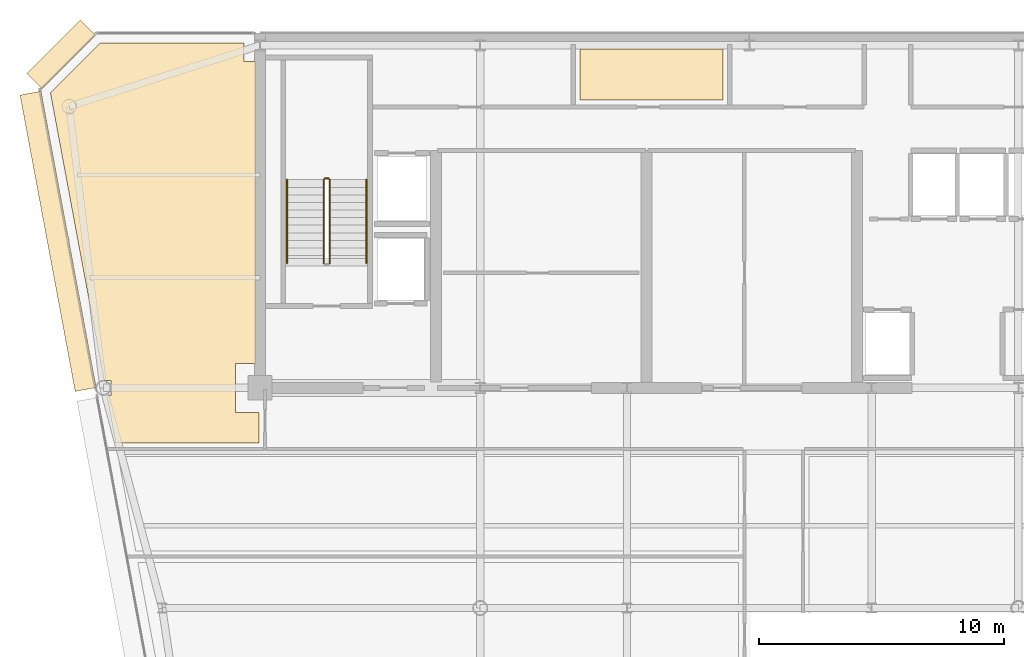
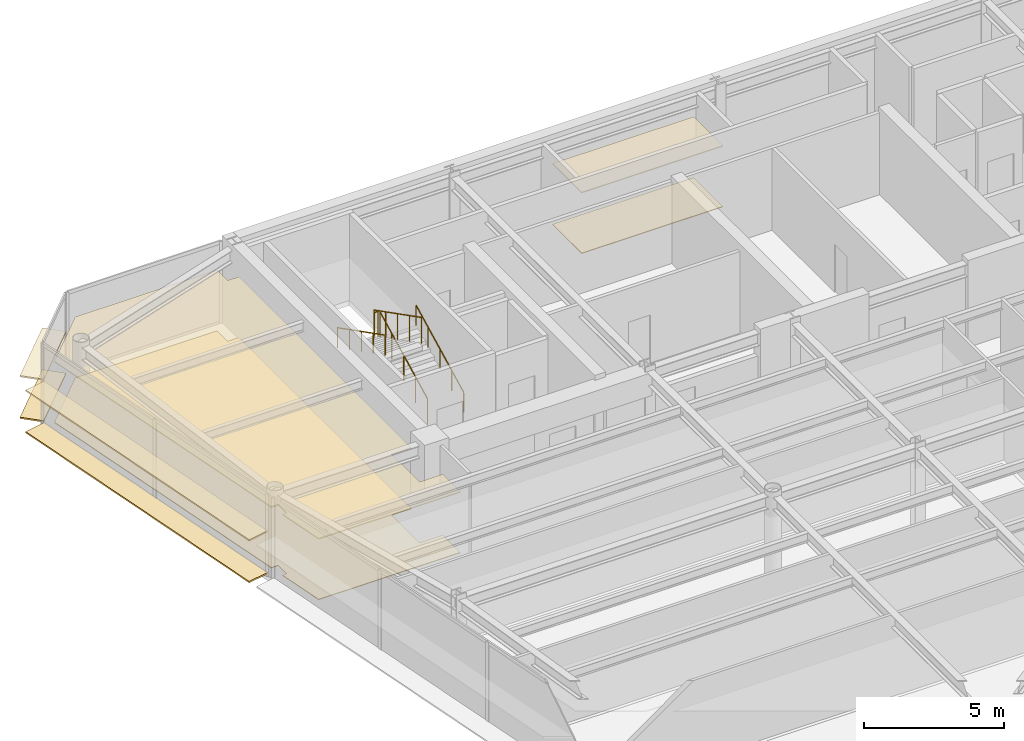
# One storey, part 16 of 18: 8 coverings, 5 railings.
"""IFC4 building model written with IfcOpenShell, lengths in metres."""

import ifcopenshell
import ifcopenshell.guid

model = None  # the IFC model being written
_history = None  # IfcOwnerHistory: only IFC2X3 demands one
_inside = {}  # id of a spatial element -> (the spatial element, [elements in it])
_under = {}  # id of a project, library or spatial element -> (it, [spatial elements below it])
_declared = {}  # id of a project -> (the project, [libraries it declares])
_typed = {}  # id of a type object -> (the type object, [elements of that type])
_made_of = {}  # id of a material, layer set ... -> (it, [elements and type objects made of it])


def new_model(schema):
    """Start an empty IFC model of exactly this schema.

    Asked for "IFC4X3", IfcOpenShell would pick the latest addendum, in which some entities
    have other attributes; the version numbers below select the first issue.
    IFC2X3 requires an IfcOwnerHistory on every rooted entity: one is made here for all.
    """
    global model, _history
    if schema == "IFC4X3":
        model = ifcopenshell.file(schema_version=(4, 3, 0, 0))
    else:
        model = ifcopenshell.file(schema=schema)
    _inside.clear()
    _under.clear()
    _declared.clear()
    _typed.clear()
    _made_of.clear()
    _history = None
    if model.schema == "IFC2X3":
        org = make("IfcOrganization", Name="unknown")
        user = make(
            "IfcPersonAndOrganization",
            ThePerson=make("IfcPerson", FamilyName="unknown"),
            TheOrganization=org,
        )
        app = make(
            "IfcApplication",
            ApplicationDeveloper=org,
            Version="unknown",
            ApplicationFullName="unknown",
            ApplicationIdentifier="unknown",
        )
        _history = make(
            "IfcOwnerHistory",
            OwningUser=user,
            OwningApplication=app,
            ChangeAction="ADDED",
            CreationDate=0,
        )
    return model


def make(cls, **values):
    """One entity of the class cls with the attributes given. An attribute that is None is left unset."""
    return model.create_entity(
        cls, **{name: value for name, value in values.items() if value is not None}
    )


def rooted(cls, **values):
    """An entity with a GlobalId (a new one), such as an element, a storey or a relation."""
    return make(cls, GlobalId=ifcopenshell.guid.new(), OwnerHistory=_history, **values)


def si_unit(unit_type, name, prefix=None):
    """IfcSIUnit, for example si_unit("LENGTHUNIT", "METRE", prefix="MILLI")."""
    return make("IfcSIUnit", UnitType=unit_type, Prefix=prefix, Name=name)


def assignment(units):
    """IfcUnitAssignment: the units of a project."""
    return None if units is None else make("IfcUnitAssignment", Units=units)


def point(xyz):
    """IfcCartesianPoint."""
    return None if xyz is None else make("IfcCartesianPoint", Coordinates=xyz)


def direction(xyz):
    """IfcDirection."""
    return None if xyz is None else make("IfcDirection", DirectionRatios=xyz)


def frame(location, z_axis=None, x_axis=None):
    """IfcAxis2Placement3D, a coordinate frame: its origin and axes. An axis left out is left unset."""
    return make(
        "IfcAxis2Placement3D",
        Location=point(location),
        Axis=direction(z_axis),
        RefDirection=direction(x_axis),
    )


def frame_2d(location, x_axis=None):
    """IfcAxis2Placement2D, a coordinate frame in the plane: its origin and x axis."""
    return make(
        "IfcAxis2Placement2D", Location=point(location), RefDirection=direction(x_axis)
    )


def origin():
    """The frame at (0, 0, 0) with its axes left unset."""
    return frame((0.0, 0.0, 0.0))


def origin_2d():
    """The frame at (0, 0) in the plane with its x axis left unset."""
    return frame_2d((0.0, 0.0))


def place(relative_to, where):
    """IfcLocalPlacement: puts the frame where relative to a parent placement (None: the world)."""
    return make(
        "IfcLocalPlacement", PlacementRelTo=relative_to, RelativePlacement=where
    )


def context(
    kind, dimensions, precision=None, world=None, true_north=None, identifier=None
):
    """IfcGeometricRepresentationContext, for example the 3D "Model" context."""
    return make(
        "IfcGeometricRepresentationContext",
        ContextIdentifier=identifier,
        ContextType=kind,
        CoordinateSpaceDimension=dimensions,
        Precision=precision,
        WorldCoordinateSystem=world,
        TrueNorth=true_north,
    )


def subcontext(parent, identifier, kind, view, scale=None):
    """IfcGeometricRepresentationSubContext, for example "Body" below "Model"."""
    return make(
        "IfcGeometricRepresentationSubContext",
        ContextIdentifier=identifier,
        ContextType=kind,
        ParentContext=parent,
        TargetScale=scale,
        TargetView=view,
    )


def project(units=None, contexts=None):
    """IfcProject with its units and contexts."""
    return rooted(
        "IfcProject",
        Name="project",
        RepresentationContexts=contexts,
        UnitsInContext=assignment(units),
    )


def spatial(cls, under=None, at=None, **own):
    """A site, building, storey or space (cls), placed at a placement, below another one or the project."""
    s = rooted(cls, ObjectPlacement=at, **own)
    if under is not None:
        _under.setdefault(under.id(), (under, []))[1].append(s)
    return s


def polyline(points):
    """IfcPolyline through the points."""
    return make("IfcPolyline", Points=[point(p) for p in points])


def profile(cls, at=None, kind="AREA", **sizes):
    """A parametric profile (cls). Its sizes go by their IFC names, for example OverallWidth=200.0."""
    return make(cls, ProfileType=kind, Position=at, **sizes)


def rectangle(**sizes):
    """IfcRectangleProfileDef."""
    return profile("IfcRectangleProfileDef", **sizes)


def circle(**sizes):
    """IfcCircleProfileDef."""
    return profile("IfcCircleProfileDef", **sizes)


def outline(outer, holes=None, kind="AREA"):
    """IfcArbitraryClosedProfileDef: a profile drawn as a closed curve; with holes, ...WithVoids."""
    if holes is None:
        return make("IfcArbitraryClosedProfileDef", ProfileType=kind, OuterCurve=outer)
    return make(
        "IfcArbitraryProfileDefWithVoids",
        ProfileType=kind,
        OuterCurve=outer,
        InnerCurves=holes,
    )


def extrude(swept, where, along, depth):
    """IfcExtrudedAreaSolid: the profile swept, set in the frame where, extruded along a direction by depth."""
    return make(
        "IfcExtrudedAreaSolid",
        SweptArea=swept,
        Position=where,
        ExtrudedDirection=direction(along),
        Depth=depth,
    )


def shape(context_of_items, identifier, shape_type, items):
    """IfcShapeRepresentation: the items that make up one representation, for example the "Body"."""
    return make(
        "IfcShapeRepresentation",
        ContextOfItems=context_of_items,
        RepresentationIdentifier=identifier,
        RepresentationType=shape_type,
        Items=items,
    )


def source(mapping_origin, context_of_items, identifier, shape_type, items):
    """IfcRepresentationMap: a shape defined once, which mapped items show again and again."""
    return make(
        "IfcRepresentationMap",
        MappingOrigin=mapping_origin,
        MappedRepresentation=shape(context_of_items, identifier, shape_type, items),
    )


def transform(
    local_origin,
    x_axis=None,
    y_axis=None,
    z_axis=None,
    scale=None,
    scale2=None,
    scale3=None,
    uniform=True,
):
    """IfcCartesianTransformationOperator3D, or its non-uniform kind. x_axis, y_axis, z_axis: its Axis1, 2, 3."""
    if uniform:
        return make(
            "IfcCartesianTransformationOperator3D",
            Axis1=direction(x_axis),
            Axis2=direction(y_axis),
            LocalOrigin=point(local_origin),
            Scale=scale,
            Axis3=direction(z_axis),
        )
    return make(
        "IfcCartesianTransformationOperator3DnonUniform",
        Axis1=direction(x_axis),
        Axis2=direction(y_axis),
        LocalOrigin=point(local_origin),
        Scale=scale,
        Axis3=direction(z_axis),
        Scale2=scale2,
        Scale3=scale3,
    )


def mapped(mapping_source, mapping_target):
    """IfcMappedItem: shows the shape of a source again, moved by a transform."""
    return make(
        "IfcMappedItem", MappingSource=mapping_source, MappingTarget=mapping_target
    )


def material(Name=None, Category=None):
    """IfcMaterial."""
    return make("IfcMaterial", Name=Name, Category=Category)


def layer(
    of_material, thickness, ventilated=None, Name=None, Category=None, Priority=None
):
    """IfcMaterialLayer: one layer of a wall or slab, of a material (None: an air gap)."""
    return make(
        "IfcMaterialLayer",
        Material=of_material,
        LayerThickness=thickness,
        IsVentilated=ventilated,
        Name=Name,
        Category=Category,
        Priority=Priority,
    )


def layer_set(layers, Name=None):
    """IfcMaterialLayerSet."""
    return make("IfcMaterialLayerSet", MaterialLayers=layers, LayerSetName=Name)


def made_of(thing, what):
    """Note that an element or type object is made of a material, layer set ...; save() writes the relation."""
    if what is not None:
        _made_of.setdefault(what.id(), (what, []))[1].append(thing)
    return thing


def type_object(cls, material=None, **own):
    """A type object (cls), such as IfcWallType, which elements share."""
    return made_of(rooted(cls, **own), material)


def element(
    cls,
    number,
    at=None,
    inside=None,
    cuts=None,
    type_object=None,
    material=None,
    context=None,
    identifier="Body",
    shape_type=None,
    held_by="IfcProductDefinitionShape",
    body=None,
    shapes=None,
    **own,
):
    """One element of the class cls, such as IfcWall. Its Tag is "e" and its number.

    at: its placement. inside: the storey or other place that contains it. cuts: it is an
    opening in that element (IfcRelVoidsElement). A single representation is given by context,
    identifier, shape_type and body (its items); several are given by shapes. held_by: the class
    of the entity that holds the representations. save() writes the other relations.
    """
    e = rooted(cls, Tag="e%d" % number, ObjectPlacement=at, **own)
    if body is not None:
        shapes = [shape(context, identifier, shape_type, body)]
    if shapes is not None:
        e.Representation = make(held_by, Representations=shapes)
    if inside is not None:
        _inside.setdefault(inside.id(), (inside, []))[1].append(e)
    if cuts is not None:
        rooted(
            "IfcRelVoidsElement", RelatingBuildingElement=cuts, RelatedOpeningElement=e
        )
    if type_object is not None:
        _typed.setdefault(type_object.id(), (type_object, []))[1].append(e)
    return made_of(e, material)


def aggregate(whole, parts):
    """IfcRelAggregates: a whole, such as a stair, and the parts it consists of."""
    return rooted("IfcRelAggregates", RelatingObject=whole, RelatedObjects=parts)


def save(model, path):
    """Write the relations noted so far, then the file.

    IfcRelAggregates (storeys below a building ...), IfcRelContainedInSpatialStructure (elements
    in a storey), IfcRelDefinesByType, IfcRelAssociatesMaterial and IfcRelDeclares: one each for
    every whole, place, type object, material and project.
    """
    for whole, parts in _under.values():
        aggregate(whole, parts)
    for where, things in _inside.values():
        rooted(
            "IfcRelContainedInSpatialStructure",
            RelatedElements=things,
            RelatingStructure=where,
        )
    for kind, things in _typed.values():
        rooted("IfcRelDefinesByType", RelatedObjects=things, RelatingType=kind)
    for what, things in _made_of.values():
        rooted("IfcRelAssociatesMaterial", RelatedObjects=things, RelatingMaterial=what)
    for by, libraries in _declared.values():
        rooted("IfcRelDeclares", RelatingContext=by, RelatedDefinitions=libraries)
    model.write(path)


model = new_model("IFC4")

# Units and contexts
model_context = context("Model", 3, precision=1e-05, world=origin(), true_north=direction((0.0, 1.0)))
body_context = subcontext(model_context, "Body", "Model", "MODEL_VIEW")
ifc_project = project(units=[si_unit("LENGTHUNIT", "METRE"), si_unit("AREAUNIT", "SQUARE_METRE"), si_unit("VOLUMEUNIT", "CUBIC_METRE"), si_unit("PLANEANGLEUNIT", "RADIAN"), si_unit("MASSUNIT", "GRAM", prefix="KILO")], contexts=[model_context])

# Site, building, storey
site_placement = place(None, origin())
site = spatial("IfcSite", under=ifc_project, at=site_placement, CompositionType="ELEMENT")
building_placement = place(site_placement, origin())
building = spatial("IfcBuilding", under=site, at=building_placement, Name="Vaeldorn Concourse Tower", CompositionType="ELEMENT")
storey_placement = place(building_placement, frame((0.0, 0.0, 257.39990234375)))
storey = spatial("IfcBuildingStorey", under=building, at=storey_placement, Name="L66", CompositionType="ELEMENT", Elevation=257.39990234375)

# Coverings
ifc_material_1 = material(Name="Acoustic Mineral Fibre Board", Category="gypsum")
ifc_layer_1 = layer(ifc_material_1, 0.0400390625)
ifc_layer_set_1 = layer_set([ifc_layer_1], Name="Acoustic Mineral Fibre Board")
covering_type_1 = type_object("IfcCoveringType", Name="COV-CEIL-ACOUSTIC", PredefinedType="CEILING", material=ifc_layer_set_1)
covering_1_placement = place(storey_placement, frame((0.0, 0.0, 2.650146484375)))
element("IfcCovering", 1, at=covering_1_placement, inside=storey, type_object=covering_type_1, Name="Suspended Acoustic Ceiling L66-1", PredefinedType="CEILING", context=body_context, shape_type="SweptSolid", body=[
    extrude(outline(polyline([(27.080078125, 48.260009765625), (27.080078125, 50.35009765625), (32.919921875, 50.35009765625), (32.919921875, 48.260009765625), (27.080078125, 48.260009765625)])), origin(), (0.0, 0.0, 1.0), 0.0400390625),
])
covering_2_placement = place(storey_placement, frame((0.0, 0.0, 2.650146484375)))
element("IfcCovering", 2, at=covering_2_placement, inside=storey, type_object=covering_type_1, Name="Suspended Acoustic Ceiling L66-3", PredefinedType="CEILING", context=body_context, shape_type="SweptSolid", body=[
    extrude(outline(polyline([(7.4658203125, 50.60009765625), (13.340087890625, 50.60009765625), (13.340087890625, 49.840087890625), (13.820068359375, 49.840087890625), (13.820068359375, 37.5), (13.0, 37.5), (13.0, 35.5), (13.9599609375, 35.5), (13.9599609375, 34.239990234375), (8.099365234375, 34.239990234375), (7.831298828125, 35.679931640625), (7.831298828125, 35.679931640625), (7.7353515625, 36.195068359375), (7.905029296875, 36.195068359375), (7.905029296875, 36.804931640625), (7.621826171875, 36.804931640625), (5.431884765625, 48.566162109375), (7.4658203125, 50.60009765625)])), origin(), (0.0, 0.0, 1.0), 0.0400390625),
])
ifc_material_2 = material(Name="Honed Limestone Terrazzo Flooring", Category="masonry")
ifc_layer_2 = layer(ifc_material_2, 0.0400390625)
ifc_layer_set_2 = layer_set([ifc_layer_2], Name="Honed Limestone Terrazzo Flooring")
covering_type_2 = type_object("IfcCoveringType", Name="COV-FLOOR-STONE", PredefinedType="FLOORING", material=ifc_layer_set_2)
covering_3_placement = place(storey_placement, origin())
element("IfcCovering", 3, at=covering_3_placement, inside=storey, type_object=covering_type_2, Name="Floor Finish Covering L66-1", PredefinedType="FLOORING", context=body_context, shape_type="SweptSolid", body=[
    extrude(outline(polyline([(27.080078125, 48.260009765625), (27.080078125, 50.35009765625), (32.919921875, 50.35009765625), (32.919921875, 48.260009765625), (27.080078125, 48.260009765625)])), origin(), (0.0, 0.0, 1.0), 0.030029296875),
])
covering_4_placement = place(storey_placement, origin())
element("IfcCovering", 4, at=covering_4_placement, inside=storey, type_object=covering_type_2, Name="Floor Finish Covering L66-3", PredefinedType="FLOORING", context=body_context, shape_type="SweptSolid", body=[
    extrude(outline(polyline([(7.4658203125, 50.60009765625), (13.340087890625, 50.60009765625), (13.340087890625, 49.840087890625), (13.820068359375, 49.840087890625), (13.820068359375, 37.5), (13.0, 37.5), (13.0, 35.5), (13.9599609375, 35.5), (13.9599609375, 34.239990234375), (8.099365234375, 34.239990234375), (7.831298828125, 35.679931640625), (7.831298828125, 35.679931640625), (7.7353515625, 36.195068359375), (7.905029296875, 36.195068359375), (7.905029296875, 36.804931640625), (7.621826171875, 36.804931640625), (5.431884765625, 48.566162109375), (7.4658203125, 50.60009765625)])), origin(), (0.0, 0.0, 1.0), 0.030029296875),
])

# Railings
ifc_material_3 = material(Name="Anodised Bronze Aluminium", Category="aluminium")
railing_type_1 = type_object("IfcRailingType", Name="RL-STAIR-GUARD", PredefinedType="GUARDRAIL", material=ifc_material_3)
railing_1_placement = place(storey_placement, frame((16.85009765625, 41.60009765625, 0.158447265625)))
element("IfcRailing", 5, at=railing_1_placement, inside=storey, type_object=railing_type_1, Name="L66 ST-1 stair guard 1", PredefinedType="GUARDRAIL", context=body_context, shape_type="SweptSolid", body=[
    extrude(circle(Radius=0.02392578125, at=origin_2d()), frame((0.0, 0.0, 1.1259765625), z_axis=(0.0, 0.890555807335, 0.454873997962), x_axis=(-1.0, 0.0, 0.0)), (0.0, 0.0, 1.0), 3.828857421875),
    extrude(circle(Radius=0.02099609375, at=origin_2d()), origin(), (0.0, 0.0, 1.0), 1.101806640625),
    extrude(circle(Radius=0.02099609375, at=origin_2d()), frame((0.0, 0.8525390625, 0.435546875)), (0.0, 0.0, 1.0), 1.101806640625),
    extrude(circle(Radius=0.02099609375, at=origin_2d()), frame((0.0, 1.705078125, 0.870849609375)), (0.0, 0.0, 1.0), 1.101806640625),
    extrude(circle(Radius=0.02099609375, at=origin_2d()), frame((0.0, 2.557373046875, 1.30615234375)), (0.0, 0.0, 1.0), 1.101806640625),
    extrude(circle(Radius=0.02099609375, at=origin_2d()), frame((0.0, 3.409912109375, 1.74169921875)), (0.0, 0.0, 1.0), 1.101806640625),
])
railing_2_placement = place(storey_placement, frame((16.800048828125, 45.06005859375, 1.900146484375)))
element("IfcRailing", 6, at=railing_2_placement, inside=storey, type_object=railing_type_1, Name="L66 ST-1 stair guard 2", PredefinedType="GUARDRAIL", context=body_context, shape_type="SweptSolid", body=[
    extrude(circle(Radius=0.02392578125, at=origin_2d()), frame((0.0, 0.0, 1.1259765625), z_axis=(-1.0, 0.0, 0.0), x_axis=(0.0, -1.0, 0.0)), (0.0, 0.0, 1.0), 0.150146484375),
    extrude(circle(Radius=0.02099609375, at=origin_2d()), origin(), (0.0, 0.0, 1.0), 1.101806640625),
    extrude(circle(Radius=0.02099609375, at=origin_2d()), frame((-0.150146484375, 0.0, 0.0)), (0.0, 0.0, 1.0), 1.101806640625),
])
railing_3_placement = place(storey_placement, frame((16.60009765625, 45.010009765625, 2.058349609375)))
element("IfcRailing", 7, at=railing_3_placement, inside=storey, type_object=railing_type_1, Name="L66 ST-1 stair guard 3", PredefinedType="GUARDRAIL", context=body_context, shape_type="SweptSolid", body=[
    extrude(circle(Radius=0.02392578125, at=origin_2d()), frame((0.0, 0.0, 1.1259765625), z_axis=(0.0, -0.890555807335, 0.454873997962), x_axis=(1.0, 0.0, 0.0)), (0.0, 0.0, 1.0), 3.828857421875),
    extrude(circle(Radius=0.02099609375, at=origin_2d()), origin(), (0.0, 0.0, 1.0), 1.101806640625),
    extrude(circle(Radius=0.02099609375, at=origin_2d()), frame((0.0, -0.8525390625, 0.435546875)), (0.0, 0.0, 1.0), 1.101806640625),
    extrude(circle(Radius=0.02099609375, at=origin_2d()), frame((0.0, -1.705078125, 0.870849609375)), (0.0, 0.0, 1.0), 1.101806640625),
    extrude(circle(Radius=0.02099609375, at=origin_2d()), frame((0.0, -2.557373046875, 1.30615234375)), (0.0, 0.0, 1.0), 1.101806640625),
    extrude(circle(Radius=0.02099609375, at=origin_2d()), frame((0.0, -3.409912109375, 1.74169921875)), (0.0, 0.0, 1.0), 1.101806640625),
])
railing_type_2 = type_object("IfcRailingType", Name="RL-STAIR-HANDRAIL", PredefinedType="HANDRAIL", material=ifc_material_3)
railing_4_placement = place(storey_placement, frame((18.35009765625, 41.60009765625, 0.158447265625)))
element("IfcRailing", 8, at=railing_4_placement, inside=storey, type_object=railing_type_2, Name="L66 ST-1 stair handrail 1", PredefinedType="HANDRAIL", context=body_context, shape_type="SweptSolid", body=[
    extrude(circle(Radius=0.02392578125, at=origin_2d()), frame((0.0, 0.0, 0.8759765625), z_axis=(0.0, 0.890555807335, 0.454873997962), x_axis=(-1.0, 0.0, 0.0)), (0.0, 0.0, 1.0), 3.828857421875),
    extrude(circle(Radius=0.02099609375, at=origin_2d()), origin(), (0.0, 0.0, 1.0), 0.851806640625),
    extrude(circle(Radius=0.02099609375, at=origin_2d()), frame((0.0, 0.8525390625, 0.435546875)), (0.0, 0.0, 1.0), 0.851806640625),
    extrude(circle(Radius=0.02099609375, at=origin_2d()), frame((0.0, 1.705078125, 0.870849609375)), (0.0, 0.0, 1.0), 0.851806640625),
    extrude(circle(Radius=0.02099609375, at=origin_2d()), frame((0.0, 2.557373046875, 1.30615234375)), (0.0, 0.0, 1.0), 0.851806640625),
    extrude(circle(Radius=0.02099609375, at=origin_2d()), frame((0.0, 3.409912109375, 1.74169921875)), (0.0, 0.0, 1.0), 0.851806640625),
])
railing_5_placement = place(storey_placement, frame((15.10009765625, 45.010009765625, 2.058349609375)))
element("IfcRailing", 9, at=railing_5_placement, inside=storey, type_object=railing_type_2, Name="L66 ST-1 stair handrail 2", PredefinedType="HANDRAIL", context=body_context, shape_type="SweptSolid", body=[
    extrude(circle(Radius=0.02392578125, at=origin_2d()), frame((0.0, 0.0, 0.8759765625), z_axis=(0.0, -0.890555807335, 0.454873997962), x_axis=(1.0, 0.0, 0.0)), (0.0, 0.0, 1.0), 3.828857421875),
    extrude(circle(Radius=0.02099609375, at=origin_2d()), origin(), (0.0, 0.0, 1.0), 0.851806640625),
    extrude(circle(Radius=0.02099609375, at=origin_2d()), frame((0.0, -0.8525390625, 0.435546875)), (0.0, 0.0, 1.0), 0.851806640625),
    extrude(circle(Radius=0.02099609375, at=origin_2d()), frame((0.0, -1.705078125, 0.870849609375)), (0.0, 0.0, 1.0), 0.851806640625),
    extrude(circle(Radius=0.02099609375, at=origin_2d()), frame((0.0, -2.557373046875, 1.30615234375)), (0.0, 0.0, 1.0), 0.851806640625),
    extrude(circle(Radius=0.02099609375, at=origin_2d()), frame((0.0, -3.409912109375, 1.74169921875)), (0.0, 0.0, 1.0), 0.851806640625),
])

# Coverings
ifc_layer_3 = layer(ifc_material_3, 0.06494140625)
ifc_layer_set_3 = layer_set([ifc_layer_3], Name="Anodised Bronze Aluminium")
covering_type_3 = type_object("IfcCoveringType", Name="SD-BRONZE-SUNSHADE", PredefinedType="USERDEFINED", material=ifc_layer_set_3)
shared_shape_1 = source(origin(), body_context, "Body", "SweptSolid", [
    extrude(rectangle(XDim=3.0927734375, YDim=0.8798828125, at=origin_2d()), origin(), (0.0, 0.0, 1.0), 0.06494140625),
])
for number, where, z_axis, x_axis, name in (
    (10, (5.8671875, 50.1328125, 0.047607421875), (0.0, 0.0, 1.0), (-0.707106781187, -0.707106781187, 0.0), "Horizontal Bronze Sunshade L66-E10.1.1"),
    (11, (5.8671875, 50.1328125, 1.86767578125), (0.0, 0.0, 1.0), (-0.707106781187, -0.707106781187, 0.0), "Horizontal Bronze Sunshade L66-E10.1.2"),
):
    element("IfcCovering", number, at=place(storey_placement, frame(where, z_axis=z_axis, x_axis=x_axis)), inside=storey, type_object=covering_type_3, Name=name, ObjectType="SUNSHADE", PredefinedType="USERDEFINED", context=body_context, shape_type="MappedRepresentation", body=[
        mapped(shared_shape_1, transform((0.0, 0.0, 0.0), scale=1.0)),
    ])
shared_shape_2 = source(origin(), body_context, "Body", "SweptSolid", [
    extrude(rectangle(XDim=12.322509765625, YDim=0.8798828125, at=origin_2d()), origin(), (0.0, 0.0, 1.0), 0.06494140625),
])
for number, where, z_axis, x_axis, name in (
    (12, (5.749267578125, 42.490966796875, 0.047607421875), (0.0, 0.0, 1.0), (0.183059191151, -0.983101893262, 0.0), "Horizontal Bronze Sunshade L66-E11.1.1"),
    (13, (5.749267578125, 42.490966796875, 1.86767578125), (0.0, 0.0, 1.0), (0.183059191151, -0.983101893262, 0.0), "Horizontal Bronze Sunshade L66-E11.1.2"),
):
    element("IfcCovering", number, at=place(storey_placement, frame(where, z_axis=z_axis, x_axis=x_axis)), inside=storey, type_object=covering_type_3, Name=name, ObjectType="SUNSHADE", PredefinedType="USERDEFINED", context=body_context, shape_type="MappedRepresentation", body=[
        mapped(shared_shape_2, transform((0.0, 0.0, 0.0), scale=1.0)),
    ])

save(model, "model.ifc")
